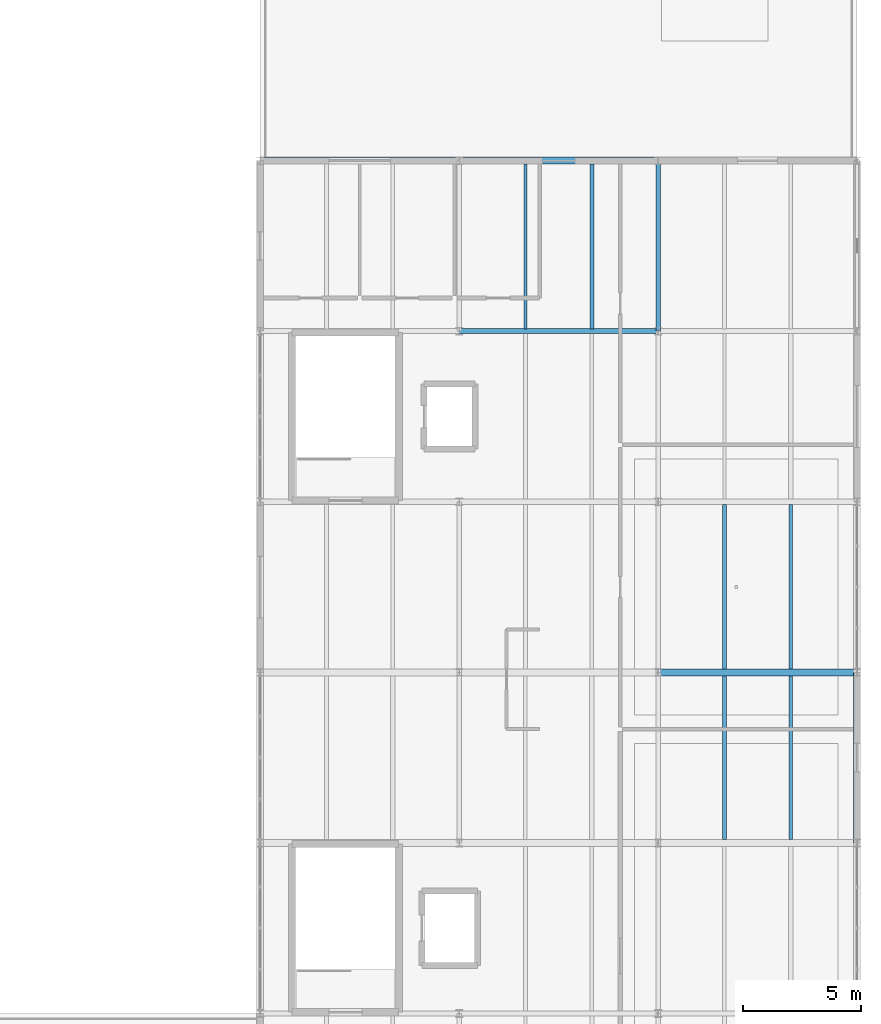
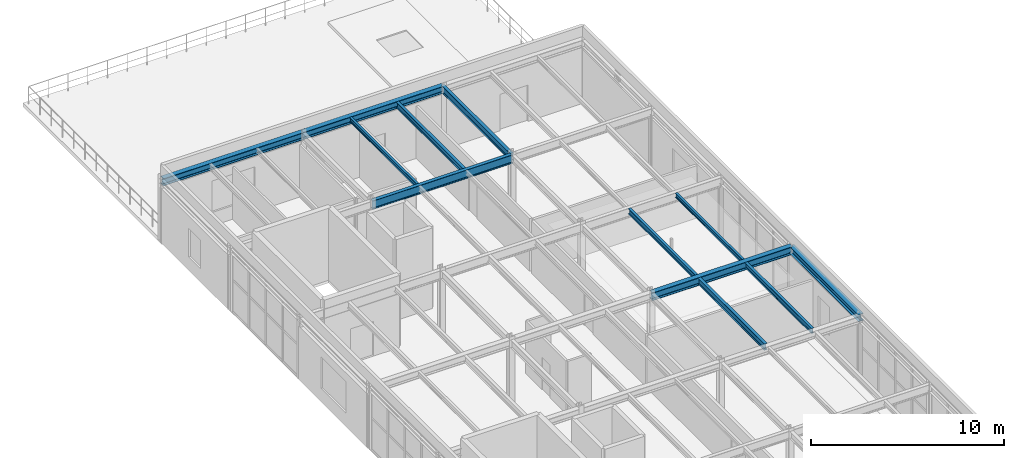
# One storey, part 62 of 77: 12 beams.
"""IFC4 building model written with IfcOpenShell, lengths in metres."""

from ifc_helpers import new_model, si_unit, derived_unit, direction, frame, origin, origin_2d, place, context, subcontext, project, spatial, i_section, extrude, material, material_profile, profile_set, type_object, element, save


model = new_model("IFC4")

# Units and contexts
model_context = context("Model", 3, precision=1e-05, world=origin(), true_north=direction((0.0, 1.0)))
body_context = subcontext(model_context, "Body", "Model", "MODEL_VIEW")
ifc_project = project(units=[si_unit("LENGTHUNIT", "METRE"), si_unit("AREAUNIT", "SQUARE_METRE"), si_unit("VOLUMEUNIT", "CUBIC_METRE"), si_unit("PLANEANGLEUNIT", "RADIAN"), si_unit("MASSUNIT", "GRAM", prefix="KILO"), derived_unit("THERMALTRANSMITTANCEUNIT", [(si_unit("MASSUNIT", "GRAM", prefix="KILO"), 1), (si_unit("TIMEUNIT", "SECOND"), -3), (si_unit("THERMODYNAMICTEMPERATUREUNIT", "KELVIN"), -1)])], contexts=[model_context])

# Site, building, storey
site_placement = place(None, origin())
site = spatial("IfcSite", under=ifc_project, at=site_placement, CompositionType="ELEMENT")
building_placement = place(site_placement, origin())
building = spatial("IfcBuilding", under=site, at=building_placement, Name="Kharveza Railside Sports Centre", CompositionType="ELEMENT")
storey_placement = place(building_placement, frame((0.0, 0.0, 17.10009765625)))
storey = spatial("IfcBuildingStorey", under=building, at=storey_placement, Name="L04", CompositionType="ELEMENT", Elevation=17.10009765625)

# Beams
ifc_material = material(Name="Steel S355J2", Category="steel")
ifc_material_profile_1 = material_profile(ifc_material, i_section(OverallWidth=0.2099609375, OverallDepth=0.550048828125, WebThickness=0.010986328125, FlangeThickness=0.01708984375, FilletRadius=0.02392578125, at=origin_2d()), Name="IPE 550")
ifc_profile_set_1 = profile_set([ifc_material_profile_1], Name="Steel S355J2")
beam_type_1 = type_object("IfcBeamType", Name="BM-G02", PredefinedType="T_BEAM", material=ifc_profile_set_1)
beam_1_placement = place(storey_placement, frame((151.199951171875, 64.800048828125, 3.73486328125), z_axis=(1.0, 0.0, 0.0), x_axis=(0.0, 1.0, 0.0)))
element("IfcBeam", 1, at=beam_1_placement, inside=storey, type_object=beam_type_1, Name="BM-EW-L04-B02-X1512-Y648", PredefinedType="T_BEAM", context=body_context, shape_type="SweptSolid", body=[
    extrude(i_section(OverallWidth=0.2099609375, OverallDepth=0.550048828125, WebThickness=0.010986328125, FlangeThickness=0.01708984375, FilletRadius=0.02392578125, at=origin_2d()), origin(), (0.0, 0.0, 1.0), 8.400146484375),
])
ifc_material_profile_2 = material_profile(ifc_material, i_section(OverallWidth=0.18994140625, OverallDepth=0.449951171875, WebThickness=0.009521484375, FlangeThickness=0.0146484375, FilletRadius=0.02099609375, at=origin_2d()), Name="IPE 450")
ifc_profile_set_2 = profile_set([ifc_material_profile_2], Name="Steel S355J2")
beam_type_2 = type_object("IfcBeamType", Name="BM-G04", PredefinedType="T_BEAM", material=ifc_profile_set_2)
beam_2_placement = place(storey_placement, frame((159.60009765625, 64.800048828125, 3.784912109375), z_axis=(0.0, 1.0, 0.0), x_axis=(-1.0, 0.0, 0.0)))
element("IfcBeam", 2, at=beam_2_placement, inside=storey, type_object=beam_type_2, Name="BM-NS-L04-B04-X1596-Y648", PredefinedType="T_BEAM", context=body_context, shape_type="SweptSolid", body=[
    extrude(i_section(OverallWidth=0.18994140625, OverallDepth=0.449951171875, WebThickness=0.009521484375, FlangeThickness=0.0146484375, FilletRadius=0.02099609375, at=origin_2d()), origin(), (0.0, 0.0, 1.0), 7.199951171875),
])
ifc_material_profile_3 = material_profile(ifc_material, i_section(OverallWidth=0.300048828125, OverallDepth=0.5, WebThickness=0.014404296875, FlangeThickness=0.028076171875, FilletRadius=0.027099609375, at=origin_2d()), Name="HEB 500")
ifc_profile_set_3 = profile_set([ifc_material_profile_3], Name="Steel S355J2")
beam_type_3 = type_object("IfcBeamType", Name="BM-G05", PredefinedType="T_BEAM", material=ifc_profile_set_3)
beam_3_placement = place(storey_placement, frame((159.60009765625, 50.39990234375, 3.760009765625), z_axis=(1.0, 0.0, 0.0), x_axis=(0.0, 1.0, 0.0)))
element("IfcBeam", 3, at=beam_3_placement, inside=storey, type_object=beam_type_3, Name="BM-EW-L04-B05-X1596-Y504", PredefinedType="T_BEAM", context=body_context, shape_type="SweptSolid", body=[
    extrude(i_section(OverallWidth=0.300048828125, OverallDepth=0.5, WebThickness=0.014404296875, FlangeThickness=0.028076171875, FilletRadius=0.027099609375, at=origin_2d()), origin(), (0.0, 0.0, 1.0), 8.39990234375),
])
ifc_material_profile_4 = material_profile(ifc_material, i_section(OverallWidth=0.300048828125, OverallDepth=0.449951171875, WebThickness=0.013916015625, FlangeThickness=0.02587890625, FilletRadius=0.027099609375, at=origin_2d()), Name="HEB 450")
ifc_profile_set_4 = profile_set([ifc_material_profile_4], Name="Steel S355J2")
beam_type_4 = type_object("IfcBeamType", Name="BM-G06", PredefinedType="T_BEAM", material=ifc_profile_set_4)
beam_4_placement = place(storey_placement, frame((142.800048828125, 72.0, 3.784912109375), z_axis=(1.0, 0.0, 0.0), x_axis=(0.0, 1.0, 0.0)))
element("IfcBeam", 4, at=beam_4_placement, inside=storey, type_object=beam_type_4, Name="BM-EW-L04-B06-X1428-Y720", PredefinedType="T_BEAM", context=body_context, shape_type="SweptSolid", body=[
    extrude(i_section(OverallWidth=0.300048828125, OverallDepth=0.449951171875, WebThickness=0.013916015625, FlangeThickness=0.02587890625, FilletRadius=0.027099609375, at=origin_2d()), origin(), (0.0, 0.0, 1.0), 8.39990234375),
])
beam_5_placement = place(storey_placement, frame((151.199951171875, 72.0, 3.784912109375), z_axis=(1.0, 0.0, 0.0), x_axis=(0.0, 1.0, 0.0)))
element("IfcBeam", 5, at=beam_5_placement, inside=storey, type_object=beam_type_4, Name="BM-EW-L04-B06-X1512-Y720", PredefinedType="T_BEAM", context=body_context, shape_type="SweptSolid", body=[
    extrude(i_section(OverallWidth=0.300048828125, OverallDepth=0.449951171875, WebThickness=0.013916015625, FlangeThickness=0.02587890625, FilletRadius=0.027099609375, at=origin_2d()), origin(), (0.0, 0.0, 1.0), 8.400146484375),
])
ifc_material_profile_5 = material_profile(ifc_material, i_section(OverallWidth=0.179931640625, OverallDepth=0.39990234375, WebThickness=0.008544921875, FlangeThickness=0.013427734375, FilletRadius=0.02099609375, at=origin_2d()), Name="IPE 400")
ifc_profile_set_5 = profile_set([ifc_material_profile_5], Name="Steel S355J2")
beam_type_5 = type_object("IfcBeamType", Name="BM-S01", PredefinedType="BEAM", material=ifc_profile_set_5)
beam_6_placement = place(storey_placement, frame((162.39990234375, 43.346923828125, 3.809814453125), z_axis=(0.0, 1.0, 0.0), x_axis=(-1.0, 0.0, 0.0)))
element("IfcBeam", 6, at=beam_6_placement, inside=storey, type_object=beam_type_5, Name="BM-SEC-L04-B09-X1624-Y432", PredefinedType="BEAM", context=body_context, shape_type="SweptSolid", body=[
    extrude(i_section(OverallWidth=0.179931640625, OverallDepth=0.39990234375, WebThickness=0.008544921875, FlangeThickness=0.013427734375, FilletRadius=0.02099609375, at=origin_2d()), origin(), (0.0, 0.0, 1.0), 6.906005859375),
])
ifc_material_profile_6 = material_profile(ifc_material, i_section(OverallWidth=0.169921875, OverallDepth=0.360107421875, WebThickness=0.008056640625, FlangeThickness=0.0126953125, FilletRadius=0.01806640625, at=origin_2d()), Name="IPE 360")
ifc_profile_set_6 = profile_set([ifc_material_profile_6], Name="Steel S355J2")
beam_type_6 = type_object("IfcBeamType", Name="BM-S02", PredefinedType="BEAM", material=ifc_profile_set_6)
beam_7_placement = place(storey_placement, frame((156.800048828125, 64.902099609375, 3.829833984375), z_axis=(0.0, 1.0, 0.0), x_axis=(-1.0, 0.0, 0.0)))
element("IfcBeam", 7, at=beam_7_placement, inside=storey, type_object=beam_type_6, Name="BM-SEC-L04-B10-X1568-Y648", PredefinedType="BEAM", context=body_context, shape_type="SweptSolid", body=[
    extrude(i_section(OverallWidth=0.169921875, OverallDepth=0.360107421875, WebThickness=0.008056640625, FlangeThickness=0.0126953125, FilletRadius=0.01806640625, at=origin_2d()), origin(), (0.0, 0.0, 1.0), 6.950927734375),
])
ifc_material_profile_7 = material_profile(ifc_material, i_section(OverallWidth=0.159912109375, OverallDepth=0.330078125, WebThickness=0.007568359375, FlangeThickness=0.011474609375, FilletRadius=0.01806640625, at=origin_2d()), Name="IPE 330")
ifc_profile_set_7 = profile_set([ifc_material_profile_7], Name="Steel S355J2")
beam_type_7 = type_object("IfcBeamType", Name="BM-S03", PredefinedType="BEAM", material=ifc_profile_set_7)
beam_8_placement = place(storey_placement, frame((165.199951171875, 43.346923828125, 3.844970703125), z_axis=(0.0, 1.0, 0.0), x_axis=(-1.0, 0.0, 0.0)))
element("IfcBeam", 8, at=beam_8_placement, inside=storey, type_object=beam_type_7, Name="BM-SEC-L04-B11-X1652-Y432", PredefinedType="BEAM", context=body_context, shape_type="SweptSolid", body=[
    extrude(i_section(OverallWidth=0.159912109375, OverallDepth=0.330078125, WebThickness=0.007568359375, FlangeThickness=0.011474609375, FilletRadius=0.01806640625, at=origin_2d()), origin(), (0.0, 0.0, 1.0), 6.906005859375),
])
beam_9_placement = place(storey_placement, frame((162.39990234375, 50.547119140625, 3.844970703125), z_axis=(0.0, 1.0, 0.0), x_axis=(-1.0, 0.0, 0.0)))
element("IfcBeam", 9, at=beam_9_placement, inside=storey, type_object=beam_type_7, Name="BM-SEC-L04-B11-X1624-Y504", PredefinedType="BEAM", context=body_context, shape_type="SweptSolid", body=[
    extrude(i_section(OverallWidth=0.159912109375, OverallDepth=0.330078125, WebThickness=0.007568359375, FlangeThickness=0.011474609375, FilletRadius=0.01806640625, at=origin_2d()), origin(), (0.0, 0.0, 1.0), 6.94580078125),
])
ifc_material_profile_8 = material_profile(ifc_material, i_section(OverallWidth=0.135009765625, OverallDepth=0.27001953125, WebThickness=0.006591796875, FlangeThickness=0.01025390625, FilletRadius=0.014892578125, at=origin_2d()), Name="IPE 270")
ifc_profile_set_8 = profile_set([ifc_material_profile_8], Name="Steel S355J2")
beam_type_8 = type_object("IfcBeamType", Name="BM-S05", PredefinedType="BEAM", material=ifc_profile_set_8)
beam_10_placement = place(storey_placement, frame((154.0, 64.902099609375, 3.875), z_axis=(0.0, 1.0, 0.0), x_axis=(-1.0, 0.0, 0.0)))
element("IfcBeam", 10, at=beam_10_placement, inside=storey, type_object=beam_type_8, Name="BM-SEC-L04-B13-X1540-Y648", PredefinedType="BEAM", context=body_context, shape_type="SweptSolid", body=[
    extrude(i_section(OverallWidth=0.135009765625, OverallDepth=0.27001953125, WebThickness=0.006591796875, FlangeThickness=0.01025390625, FilletRadius=0.014892578125, at=origin_2d()), origin(), (0.0, 0.0, 1.0), 6.950927734375),
])
beam_11_placement = place(storey_placement, frame((165.199951171875, 50.547119140625, 3.875), z_axis=(0.0, 1.0, 0.0), x_axis=(-1.0, 0.0, 0.0)))
element("IfcBeam", 11, at=beam_11_placement, inside=storey, type_object=beam_type_8, Name="BM-SEC-L04-B13-X1652-Y504", PredefinedType="BEAM", context=body_context, shape_type="SweptSolid", body=[
    extrude(i_section(OverallWidth=0.135009765625, OverallDepth=0.27001953125, WebThickness=0.006591796875, FlangeThickness=0.01025390625, FilletRadius=0.014892578125, at=origin_2d()), origin(), (0.0, 0.0, 1.0), 6.94580078125),
])
ifc_material_profile_9 = material_profile(ifc_material, i_section(OverallWidth=0.300048828125, OverallDepth=0.43994140625, WebThickness=0.011474609375, FlangeThickness=0.02099609375, FilletRadius=0.027099609375, at=origin_2d()), Name="HEA 450")
ifc_profile_set_9 = profile_set([ifc_material_profile_9], Name="Steel S355J2")
beam_type_9 = type_object("IfcBeamType", Name="BM-SP01", PredefinedType="SPANDREL", material=ifc_profile_set_9)
beam_12_placement = place(storey_placement, frame((168.0, 43.199951171875, 3.789794921875), z_axis=(0.0, 1.0, 0.0), x_axis=(-1.0, 0.0, 0.0)))
element("IfcBeam", 12, at=beam_12_placement, inside=storey, type_object=beam_type_9, Name="BM-NS-L04-B15-X1680-Y432", PredefinedType="SPANDREL", context=body_context, shape_type="SweptSolid", body=[
    extrude(i_section(OverallWidth=0.300048828125, OverallDepth=0.43994140625, WebThickness=0.011474609375, FlangeThickness=0.02099609375, FilletRadius=0.027099609375, at=origin_2d()), origin(), (0.0, 0.0, 1.0), 7.199951171875),
])

save(model, "model.ifc")
